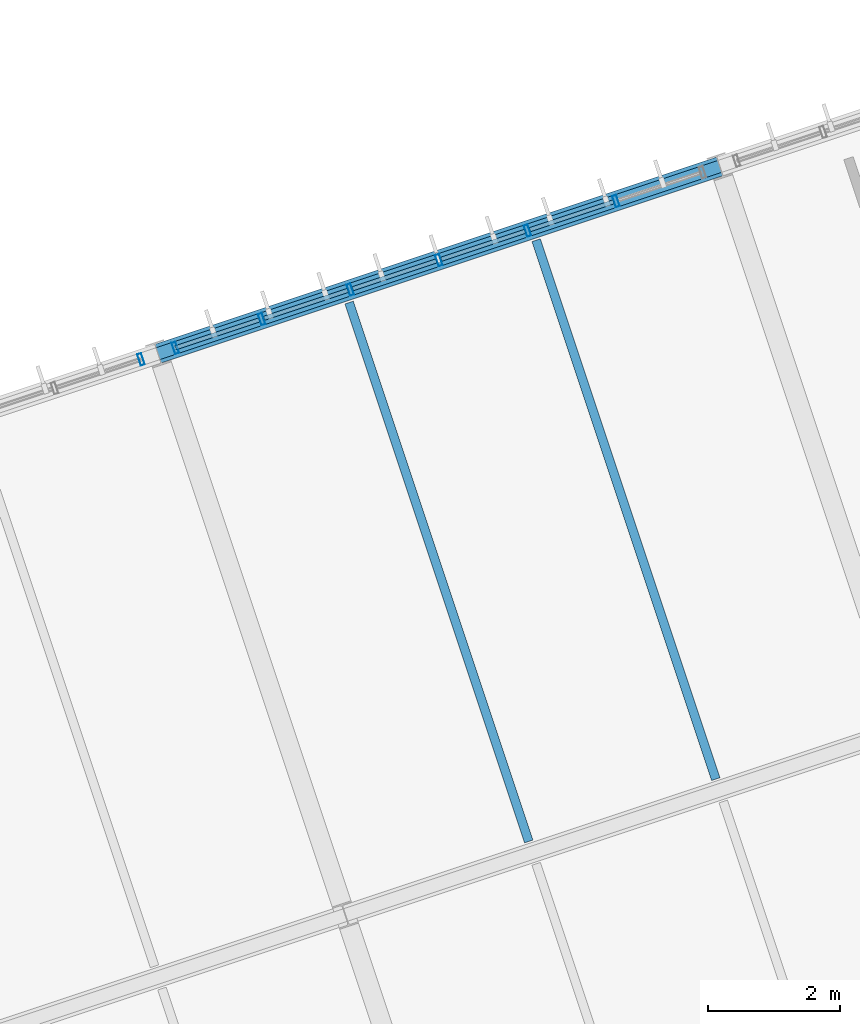
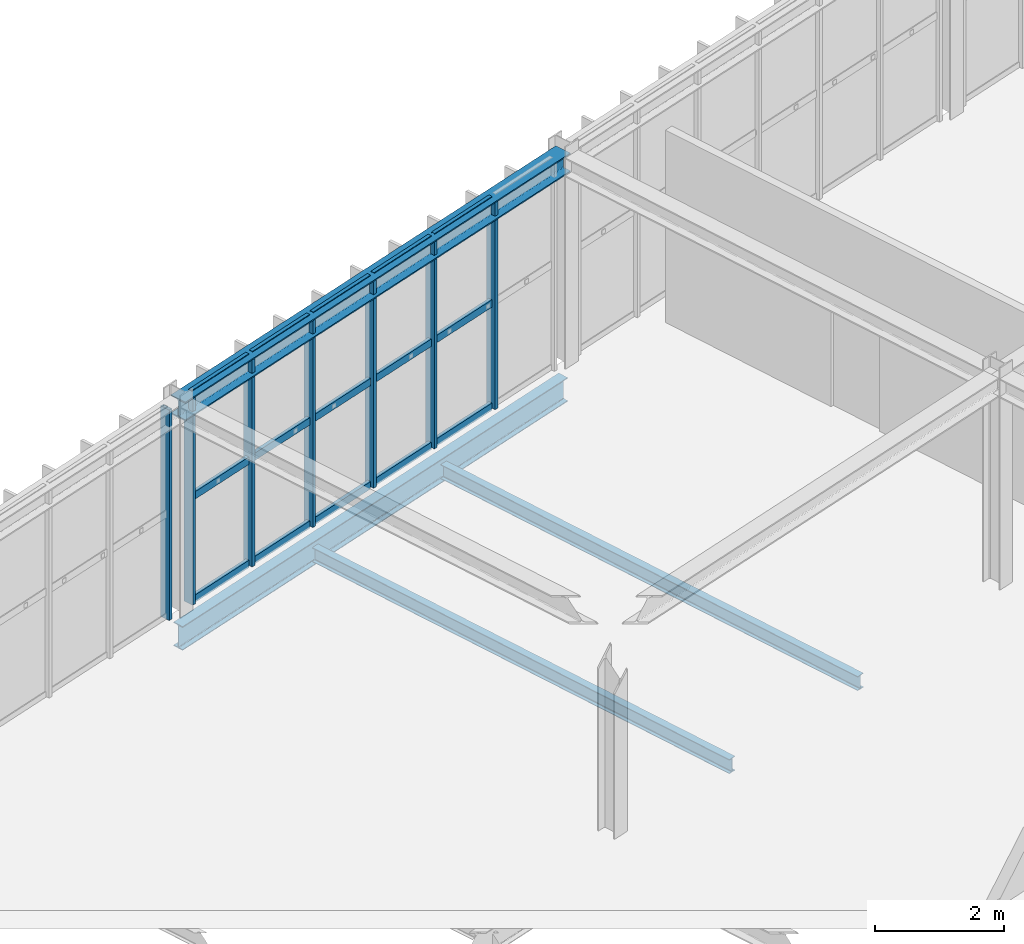
# One storey, part 13 of 61: 22 members, 4 beams, 2 elements without a shape of their own.
"""IFC4 building model written with IfcOpenShell, lengths in metres."""

from ifc_helpers import new_model, si_unit, derived_unit, direction, frame, origin, origin_2d, place, context, subcontext, project, spatial, hollow_rectangle, i_section, extrude, material, material_profile, profile_set, type_object, element, aggregate, save


model = new_model("IFC4")

# Units and contexts
model_context = context("Model", 3, precision=1e-05, world=origin(), true_north=direction((0.0, 1.0)))
body_context = subcontext(model_context, "Body", "Model", "MODEL_VIEW")
ifc_project = project(units=[si_unit("LENGTHUNIT", "METRE"), si_unit("AREAUNIT", "SQUARE_METRE"), si_unit("VOLUMEUNIT", "CUBIC_METRE"), si_unit("PLANEANGLEUNIT", "RADIAN"), si_unit("MASSUNIT", "GRAM", prefix="KILO"), si_unit("THERMODYNAMICTEMPERATUREUNIT", "KELVIN"), si_unit("TIMEUNIT", "SECOND"), derived_unit("THERMALTRANSMITTANCEUNIT", [(si_unit("MASSUNIT", "GRAM", prefix="KILO"), 1), (si_unit("THERMODYNAMICTEMPERATUREUNIT", "KELVIN"), -1), (si_unit("TIMEUNIT", "SECOND"), -3)])], contexts=[model_context])

# Site, building, storey
site_placement = place(None, origin())
site = spatial("IfcSite", under=ifc_project, at=site_placement, CompositionType="ELEMENT")
building_placement = place(site_placement, origin())
building = spatial("IfcBuilding", under=site, at=building_placement, Name="Cambertide Market Hall", CompositionType="ELEMENT")
storey_placement = place(building_placement, frame((0.0, 0.0, 9.89990234375)))
storey = spatial("IfcBuildingStorey", under=building, at=storey_placement, Name="L03", CompositionType="ELEMENT", Elevation=9.89990234375)

# Curtain wall, member
ifc_material_1 = material(Name="Marine Anodized Aluminium 6063-T6 AA25", Category="aluminium")
curtain_wall_type = type_object("IfcCurtainWallType", Name="Tasting Hall Panorama Curtain Wall", PredefinedType="USERDEFINED", material=ifc_material_1)
curtain_wall_1_placement = place(storey_placement, origin())
curtain_wall_1 = element("IfcCurtainWall", 1, at=curtain_wall_1_placement, inside=storey, type_object=curtain_wall_type, Name="Level 3 Curtain Wall CW-V3N-L03-1", ObjectType="UNITIZED CURTAIN WALL", PredefinedType="USERDEFINED")
ifc_material_2 = material(Name="Champagne Marine Anodized Aluminium 6063-T6 AA25", Category="aluminium")
ifc_material_profile_1 = material_profile(ifc_material_2, hollow_rectangle(XDim=0.06494140625, YDim=0.179931640625, WallThickness=0.00390625, at=origin_2d()), Name="ALU MULLION 65x180")
ifc_profile_set_1 = profile_set([ifc_material_profile_1], Name="Champagne Marine Anodized Aluminium 6063-T6 AA25")
member_type_1 = type_object("IfcMemberType", Name="Curtain Wall Mullion ALU MULLION 65x180", PredefinedType="MULLION", material=ifc_profile_set_1)
member_1_placement = place(storey_placement, frame((105.739013671875, 40.37353515625, 0.0), z_axis=(0.0, 0.0, 1.0), x_axis=(0.948683321523, 0.316227695598, 0.0)))
member_1 = element("IfcMember", 2, at=member_1_placement, type_object=member_type_1, Name="CW-V3N-L03-1 Mullion 7", PredefinedType="MULLION", context=body_context, shape_type="SweptSolid", body=[
    extrude(hollow_rectangle(XDim=0.06494140625, YDim=0.179931640625, WallThickness=0.00390625, at=origin_2d()), origin(), (0.0, 0.0, 1.0), 3.97998046875),
])
aggregate(curtain_wall_1, [member_1])

# Curtain wall, members
curtain_wall_2_placement = place(storey_placement, origin())
curtain_wall_2 = element("IfcCurtainWall", 3, at=curtain_wall_2_placement, inside=storey, type_object=curtain_wall_type, Name="Level 3 Curtain Wall CW-V3N-L03-2", ObjectType="UNITIZED CURTAIN WALL", PredefinedType="USERDEFINED")
member_2_placement = place(storey_placement, frame((106.260986328125, 40.54736328125, 0.0), z_axis=(0.0, 0.0, 1.0), x_axis=(0.948683321523, 0.316227695598, 0.0)))
member_2 = element("IfcMember", 4, at=member_2_placement, type_object=member_type_1, Name="CW-V3N-L03-2 Mullion 1", PredefinedType="MULLION", context=body_context, shape_type="SweptSolid", body=[
    extrude(hollow_rectangle(XDim=0.06494140625, YDim=0.179931640625, WallThickness=0.00390625, at=origin_2d()), origin(), (0.0, 0.0, 1.0), 3.97998046875),
])
member_3_placement = place(storey_placement, frame((107.57470703125, 40.9853515625, 0.0), z_axis=(0.0, 0.0, 1.0), x_axis=(0.948683321523, 0.316227695598, 0.0)))
member_3 = element("IfcMember", 5, at=member_3_placement, type_object=member_type_1, Name="CW-V3N-L03-2 Mullion 2", PredefinedType="MULLION", context=body_context, shape_type="SweptSolid", body=[
    extrude(hollow_rectangle(XDim=0.06494140625, YDim=0.179931640625, WallThickness=0.00390625, at=origin_2d()), origin(), (0.0, 0.0, 1.0), 3.97998046875),
])
member_4_placement = place(storey_placement, frame((108.921875, 41.4345703125, 0.0), z_axis=(0.0, 0.0, 1.0), x_axis=(0.948683321523, 0.316227695598, 0.0)))
member_4 = element("IfcMember", 6, at=member_4_placement, type_object=member_type_1, Name="CW-V3N-L03-2 Mullion 3", PredefinedType="MULLION", context=body_context, shape_type="SweptSolid", body=[
    extrude(hollow_rectangle(XDim=0.06494140625, YDim=0.179931640625, WallThickness=0.00390625, at=origin_2d()), origin(), (0.0, 0.0, 1.0), 3.97998046875),
])
member_5_placement = place(storey_placement, frame((110.26904296875, 41.883544921875, 0.0), z_axis=(0.0, 0.0, 1.0), x_axis=(0.948683321523, 0.316227695598, 0.0)))
member_5 = element("IfcMember", 7, at=member_5_placement, type_object=member_type_1, Name="CW-V3N-L03-2 Mullion 4", PredefinedType="MULLION", context=body_context, shape_type="SweptSolid", body=[
    extrude(hollow_rectangle(XDim=0.06494140625, YDim=0.179931640625, WallThickness=0.00390625, at=origin_2d()), origin(), (0.0, 0.0, 1.0), 3.97998046875),
])
member_6_placement = place(storey_placement, frame((111.6162109375, 42.33251953125, 0.0), z_axis=(0.0, 0.0, 1.0), x_axis=(0.948683321523, 0.316227695598, 0.0)))
member_6 = element("IfcMember", 8, at=member_6_placement, type_object=member_type_1, Name="CW-V3N-L03-2 Mullion 5", PredefinedType="MULLION", context=body_context, shape_type="SweptSolid", body=[
    extrude(hollow_rectangle(XDim=0.06494140625, YDim=0.179931640625, WallThickness=0.00390625, at=origin_2d()), origin(), (0.0, 0.0, 1.0), 3.97998046875),
])
member_7_placement = place(storey_placement, frame((112.96337890625, 42.781494140625, 0.0), z_axis=(0.0, 0.0, 1.0), x_axis=(0.948683321523, 0.316227695598, 0.0)))
member_7 = element("IfcMember", 9, at=member_7_placement, type_object=member_type_1, Name="CW-V3N-L03-2 Mullion 6", PredefinedType="MULLION", context=body_context, shape_type="SweptSolid", body=[
    extrude(hollow_rectangle(XDim=0.06494140625, YDim=0.179931640625, WallThickness=0.00390625, at=origin_2d()), origin(), (0.0, 0.0, 1.0), 3.97998046875),
])
ifc_material_3 = material(Name="Champagne Marine Anodized Aluminium 6063-T6 AA25", Category="aluminium")
ifc_material_profile_2 = material_profile(ifc_material_3, hollow_rectangle(XDim=0.06494140625, YDim=0.139892578125, WallThickness=0.00341796875, at=origin_2d()), Name="ALU TRANSOM 65x140")
ifc_profile_set_2 = profile_set([ifc_material_profile_2], Name="Champagne Marine Anodized Aluminium 6063-T6 AA25")
member_type_2 = type_object("IfcMemberType", Name="Curtain Wall Transom ALU TRANSOM 65x140", PredefinedType="USERDEFINED", material=ifc_profile_set_2)
member_8_placement = place(storey_placement, frame((106.265625, 40.549072265625, 0.03515625), z_axis=(0.948665077442, 0.316282422593, 0.0), x_axis=(-0.316282422593, 0.948665077442, 0.0)))
member_8 = element("IfcMember", 10, at=member_8_placement, type_object=member_type_2, Name="CW-V3N-L03-2 Transom 1-1", ObjectType="TRANSOM", PredefinedType="USERDEFINED", context=body_context, shape_type="SweptSolid", body=[
    extrude(hollow_rectangle(XDim=0.06494140625, YDim=0.139892578125, WallThickness=0.00341796875, at=origin_2d()), origin(), (0.0, 0.0, 1.0), 1.340087890625),
])
member_9_placement = place(storey_placement, frame((107.61279296875, 40.998046875, 0.03515625), z_axis=(0.948665077442, 0.316282422593, 0.0), x_axis=(-0.316282422593, 0.948665077442, 0.0)))
member_9 = element("IfcMember", 11, at=member_9_placement, type_object=member_type_2, Name="CW-V3N-L03-2 Transom 1-2", ObjectType="TRANSOM", PredefinedType="USERDEFINED", context=body_context, shape_type="SweptSolid", body=[
    extrude(hollow_rectangle(XDim=0.06494140625, YDim=0.139892578125, WallThickness=0.00341796875, at=origin_2d()), origin(), (0.0, 0.0, 1.0), 1.340087890625),
])
member_10_placement = place(storey_placement, frame((108.9599609375, 41.447021484375, 0.03515625), z_axis=(0.948665077442, 0.316282422593, 0.0), x_axis=(-0.316282422593, 0.948665077442, 0.0)))
member_10 = element("IfcMember", 12, at=member_10_placement, type_object=member_type_2, Name="CW-V3N-L03-2 Transom 1-3", ObjectType="TRANSOM", PredefinedType="USERDEFINED", context=body_context, shape_type="SweptSolid", body=[
    extrude(hollow_rectangle(XDim=0.06494140625, YDim=0.139892578125, WallThickness=0.00341796875, at=origin_2d()), origin(), (0.0, 0.0, 1.0), 1.340087890625),
])
member_11_placement = place(storey_placement, frame((110.30712890625, 41.896240234375, 0.03515625), z_axis=(0.948719731918, 0.316118443418, 0.0), x_axis=(-0.316118443418, 0.948719731918, 0.0)))
member_11 = element("IfcMember", 13, at=member_11_placement, type_object=member_type_2, Name="CW-V3N-L03-2 Transom 1-4", ObjectType="TRANSOM", PredefinedType="USERDEFINED", context=body_context, shape_type="SweptSolid", body=[
    extrude(hollow_rectangle(XDim=0.06494140625, YDim=0.139892578125, WallThickness=0.00341796875, at=origin_2d()), origin(), (0.0, 0.0, 1.0), 1.33984375),
])
member_12_placement = place(storey_placement, frame((111.654052734375, 42.34521484375, 0.03515625), z_axis=(0.948665077442, 0.316282422593, 0.0), x_axis=(-0.316282422593, 0.948665077442, 0.0)))
member_12 = element("IfcMember", 14, at=member_12_placement, type_object=member_type_2, Name="CW-V3N-L03-2 Transom 1-5", ObjectType="TRANSOM", PredefinedType="USERDEFINED", context=body_context, shape_type="SweptSolid", body=[
    extrude(hollow_rectangle(XDim=0.06494140625, YDim=0.139892578125, WallThickness=0.00341796875, at=origin_2d()), origin(), (0.0, 0.0, 1.0), 1.340087890625),
])
member_13_placement = place(storey_placement, frame((106.265625, 40.549072265625, 1.989990234375), z_axis=(0.948665077442, 0.316282422593, 0.0), x_axis=(-0.316282422593, 0.948665077442, 0.0)))
member_13 = element("IfcMember", 15, at=member_13_placement, type_object=member_type_2, Name="CW-V3N-L03-2 Transom 2-1", ObjectType="TRANSOM", PredefinedType="USERDEFINED", context=body_context, shape_type="SweptSolid", body=[
    extrude(hollow_rectangle(XDim=0.06494140625, YDim=0.139892578125, WallThickness=0.00341796875, at=origin_2d()), origin(), (0.0, 0.0, 1.0), 1.340087890625),
])
member_14_placement = place(storey_placement, frame((107.61279296875, 40.998046875, 1.989990234375), z_axis=(0.948665077442, 0.316282422593, 0.0), x_axis=(-0.316282422593, 0.948665077442, 0.0)))
member_14 = element("IfcMember", 16, at=member_14_placement, type_object=member_type_2, Name="CW-V3N-L03-2 Transom 2-2", ObjectType="TRANSOM", PredefinedType="USERDEFINED", context=body_context, shape_type="SweptSolid", body=[
    extrude(hollow_rectangle(XDim=0.06494140625, YDim=0.139892578125, WallThickness=0.00341796875, at=origin_2d()), origin(), (0.0, 0.0, 1.0), 1.340087890625),
])
member_15_placement = place(storey_placement, frame((108.9599609375, 41.447021484375, 1.989990234375), z_axis=(0.948665077442, 0.316282422593, 0.0), x_axis=(-0.316282422593, 0.948665077442, 0.0)))
member_15 = element("IfcMember", 17, at=member_15_placement, type_object=member_type_2, Name="CW-V3N-L03-2 Transom 2-3", ObjectType="TRANSOM", PredefinedType="USERDEFINED", context=body_context, shape_type="SweptSolid", body=[
    extrude(hollow_rectangle(XDim=0.06494140625, YDim=0.139892578125, WallThickness=0.00341796875, at=origin_2d()), origin(), (0.0, 0.0, 1.0), 1.340087890625),
])
member_16_placement = place(storey_placement, frame((110.30712890625, 41.896240234375, 1.989990234375), z_axis=(0.948719731918, 0.316118443418, 0.0), x_axis=(-0.316118443418, 0.948719731918, 0.0)))
member_16 = element("IfcMember", 18, at=member_16_placement, type_object=member_type_2, Name="CW-V3N-L03-2 Transom 2-4", ObjectType="TRANSOM", PredefinedType="USERDEFINED", context=body_context, shape_type="SweptSolid", body=[
    extrude(hollow_rectangle(XDim=0.06494140625, YDim=0.139892578125, WallThickness=0.00341796875, at=origin_2d()), origin(), (0.0, 0.0, 1.0), 1.33984375),
])
member_17_placement = place(storey_placement, frame((111.654052734375, 42.34521484375, 1.989990234375), z_axis=(0.948665077442, 0.316282422593, 0.0), x_axis=(-0.316282422593, 0.948665077442, 0.0)))
member_17 = element("IfcMember", 19, at=member_17_placement, type_object=member_type_2, Name="CW-V3N-L03-2 Transom 2-5", ObjectType="TRANSOM", PredefinedType="USERDEFINED", context=body_context, shape_type="SweptSolid", body=[
    extrude(hollow_rectangle(XDim=0.06494140625, YDim=0.139892578125, WallThickness=0.00341796875, at=origin_2d()), origin(), (0.0, 0.0, 1.0), 1.340087890625),
])
member_18_placement = place(storey_placement, frame((106.265625, 40.549072265625, 3.945068359375), z_axis=(0.948665077442, 0.316282422593, 0.0), x_axis=(-0.316282422593, 0.948665077442, 0.0)))
member_18 = element("IfcMember", 20, at=member_18_placement, type_object=member_type_2, Name="CW-V3N-L03-2 Transom 3-1", ObjectType="TRANSOM", PredefinedType="USERDEFINED", context=body_context, shape_type="SweptSolid", body=[
    extrude(hollow_rectangle(XDim=0.06494140625, YDim=0.139892578125, WallThickness=0.00341796875, at=origin_2d()), origin(), (0.0, 0.0, 1.0), 1.340087890625),
])
member_19_placement = place(storey_placement, frame((107.61279296875, 40.998046875, 3.945068359375), z_axis=(0.948665077442, 0.316282422593, 0.0), x_axis=(-0.316282422593, 0.948665077442, 0.0)))
member_19 = element("IfcMember", 21, at=member_19_placement, type_object=member_type_2, Name="CW-V3N-L03-2 Transom 3-2", ObjectType="TRANSOM", PredefinedType="USERDEFINED", context=body_context, shape_type="SweptSolid", body=[
    extrude(hollow_rectangle(XDim=0.06494140625, YDim=0.139892578125, WallThickness=0.00341796875, at=origin_2d()), origin(), (0.0, 0.0, 1.0), 1.340087890625),
])
member_20_placement = place(storey_placement, frame((108.9599609375, 41.447021484375, 3.945068359375), z_axis=(0.948665077442, 0.316282422593, 0.0), x_axis=(-0.316282422593, 0.948665077442, 0.0)))
member_20 = element("IfcMember", 22, at=member_20_placement, type_object=member_type_2, Name="CW-V3N-L03-2 Transom 3-3", ObjectType="TRANSOM", PredefinedType="USERDEFINED", context=body_context, shape_type="SweptSolid", body=[
    extrude(hollow_rectangle(XDim=0.06494140625, YDim=0.139892578125, WallThickness=0.00341796875, at=origin_2d()), origin(), (0.0, 0.0, 1.0), 1.340087890625),
])
member_21_placement = place(storey_placement, frame((110.30712890625, 41.896240234375, 3.945068359375), z_axis=(0.948719731918, 0.316118443418, 0.0), x_axis=(-0.316118443418, 0.948719731918, 0.0)))
member_21 = element("IfcMember", 23, at=member_21_placement, type_object=member_type_2, Name="CW-V3N-L03-2 Transom 3-4", ObjectType="TRANSOM", PredefinedType="USERDEFINED", context=body_context, shape_type="SweptSolid", body=[
    extrude(hollow_rectangle(XDim=0.06494140625, YDim=0.139892578125, WallThickness=0.00341796875, at=origin_2d()), origin(), (0.0, 0.0, 1.0), 1.33984375),
])
member_22_placement = place(storey_placement, frame((111.654052734375, 42.34521484375, 3.945068359375), z_axis=(0.948665077442, 0.316282422593, 0.0), x_axis=(-0.316282422593, 0.948665077442, 0.0)))
member_22 = element("IfcMember", 24, at=member_22_placement, type_object=member_type_2, Name="CW-V3N-L03-2 Transom 3-5", ObjectType="TRANSOM", PredefinedType="USERDEFINED", context=body_context, shape_type="SweptSolid", body=[
    extrude(hollow_rectangle(XDim=0.06494140625, YDim=0.139892578125, WallThickness=0.00341796875, at=origin_2d()), origin(), (0.0, 0.0, 1.0), 1.340087890625),
])
aggregate(curtain_wall_2, [member_2, member_3, member_4, member_5, member_6, member_7, member_8, member_9, member_10, member_11, member_12, member_13, member_14, member_15, member_16, member_17, member_18, member_19, member_20, member_21, member_22])

# Beams
ifc_material_4 = material(Name="Steel S355", Category="steel")
ifc_material_profile_3 = material_profile(ifc_material_4, i_section(OverallWidth=0.300048828125, OverallDepth=0.360107421875, WebThickness=0.012451171875, FlangeThickness=0.0224609375, FilletRadius=0.027099609375, at=origin_2d()), Name="HEB 360")
ifc_profile_set_3 = profile_set([ifc_material_profile_3], Name="Steel S355")
beam_type_1 = type_object("IfcBeamType", Name="Exterior Steel Girder HEB 360", PredefinedType="BEAM", material=ifc_profile_set_3)
beam_1_placement = place(storey_placement, frame((106.0, 40.46044921875, 3.820068359375), z_axis=(0.948677872554, 0.31624404204, 0.0), x_axis=(-0.31624404204, 0.948677872554, 0.0)))
element("IfcBeam", 25, at=beam_1_placement, inside=storey, type_object=beam_type_1, Name="Level 3 Beam BM-V3U-RF-2-4", PredefinedType="BEAM", context=body_context, shape_type="SweptSolid", body=[
    extrude(i_section(OverallWidth=0.300048828125, OverallDepth=0.360107421875, WebThickness=0.012451171875, FlangeThickness=0.0224609375, FilletRadius=0.027099609375, at=origin_2d()), origin(), (0.0, 0.0, 1.0), 9.0),
])
ifc_material_5 = material(Name="Steel S355", Category="steel")
ifc_material_profile_4 = material_profile(ifc_material_5, i_section(OverallWidth=0.18994140625, OverallDepth=0.449951171875, WebThickness=0.009521484375, FlangeThickness=0.0146484375, FilletRadius=0.02099609375, at=origin_2d()), Name="IPE 450")
ifc_profile_set_4 = profile_set([ifc_material_profile_4], Name="Steel S355")
beam_type_2 = type_object("IfcBeamType", Name="Perimeter Spandrel Beam IPE 450", PredefinedType="SPANDREL", material=ifc_profile_set_4)
beam_2_placement = place(storey_placement, frame((106.0, 40.46044921875, -0.5), z_axis=(0.948677872554, 0.31624404204, 0.0), x_axis=(-0.31624404204, 0.948677872554, 0.0)))
element("IfcBeam", 26, at=beam_2_placement, inside=storey, type_object=beam_type_2, Name="Level 3 Spandrel BM-V3U-L03-2-4", PredefinedType="SPANDREL", context=body_context, shape_type="SweptSolid", body=[
    extrude(i_section(OverallWidth=0.18994140625, OverallDepth=0.449951171875, WebThickness=0.009521484375, FlangeThickness=0.0146484375, FilletRadius=0.02099609375, at=origin_2d()), origin(), (0.0, 0.0, 1.0), 9.0),
])
ifc_material_6 = material(Name="Steel S275", Category="steel")
ifc_material_profile_5 = material_profile(ifc_material_6, i_section(OverallWidth=0.135009765625, OverallDepth=0.27001953125, WebThickness=0.006591796875, FlangeThickness=0.01025390625, FilletRadius=0.014892578125, at=origin_2d()), Name="IPE 270")
ifc_profile_set_5 = profile_set([ifc_material_profile_5], Name="Steel S275")
beam_type_3 = type_object("IfcBeamType", Name="Steel Secondary Joist IPE 270", PredefinedType="JOIST", material=ifc_profile_set_5)
beam_3_placement = place(storey_placement, frame((111.63525390625, 33.041748046875, -0.409912109375), z_axis=(-0.316219289033, 0.94868612367, 0.0), x_axis=(-0.94868612367, -0.316219289033, 0.0)))
element("IfcBeam", 27, at=beam_3_placement, inside=storey, type_object=beam_type_3, Name="Level 3 Joist JS-V3-L03-2-3-1", PredefinedType="JOIST", context=body_context, shape_type="SweptSolid", body=[
    extrude(i_section(OverallWidth=0.135009765625, OverallDepth=0.27001953125, WebThickness=0.006591796875, FlangeThickness=0.01025390625, FilletRadius=0.014892578125, at=origin_2d()), origin(), (0.0, 0.0, 1.0), 8.64013671875),
])
beam_4_placement = place(storey_placement, frame((114.481201171875, 33.990478515625, -0.409912109375), z_axis=(-0.316227766017, 0.948683298051, 0.0), x_axis=(-0.948683298051, -0.316227766017, 0.0)))
element("IfcBeam", 28, at=beam_4_placement, inside=storey, type_object=beam_type_3, Name="Level 3 Joist JS-V3-L03-2-3-2", PredefinedType="JOIST", context=body_context, shape_type="SweptSolid", body=[
    extrude(i_section(OverallWidth=0.135009765625, OverallDepth=0.27001953125, WebThickness=0.006591796875, FlangeThickness=0.01025390625, FilletRadius=0.014892578125, at=origin_2d()), origin(), (0.0, 0.0, 1.0), 8.639892578125),
])

save(model, "model.ifc")
